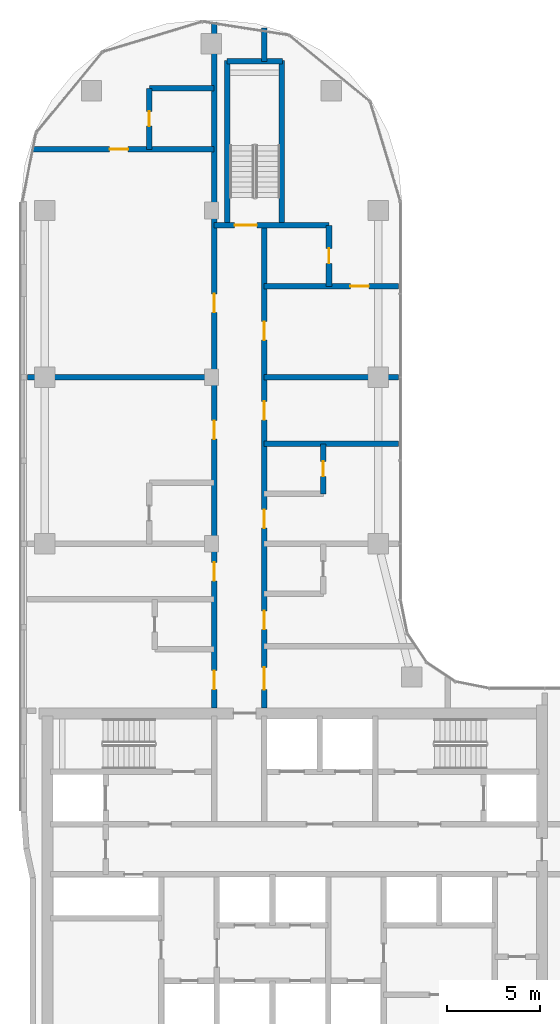
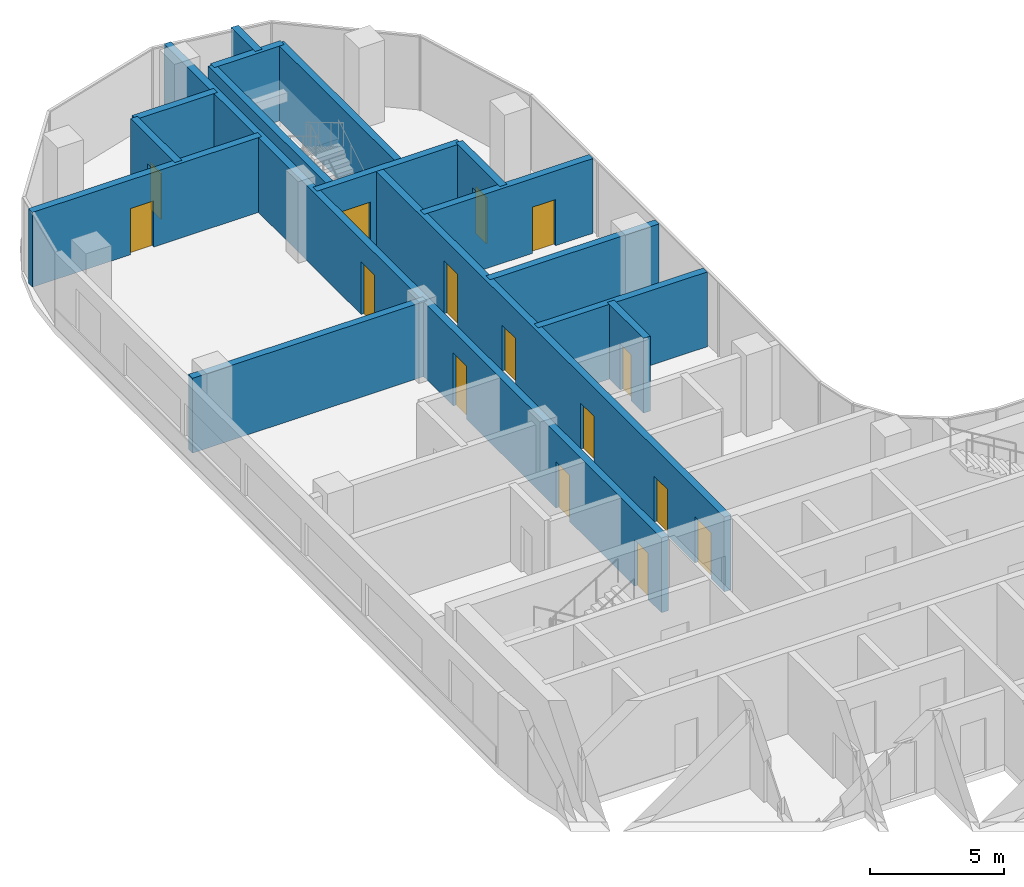
# One storey, part 13 of 23: 16 walls, 15 doors, 15 openings.
"""IFC4 building model written with IfcOpenShell, lengths in metres."""

from ifc_helpers import new_model, si_unit, direction, frame, frame_2d, origin, place, context, subcontext, project, spatial, rectangle, extrude, material, layer, layer_set, type_object, element, fill, save


model = new_model("IFC4")

# Units and contexts
model_context = context("Model", 3, precision=1e-05, world=origin(), true_north=direction((0.0, 1.0)))
body_context = subcontext(model_context, "Body", "Model", "MODEL_VIEW")
ifc_project = project(units=[si_unit("LENGTHUNIT", "METRE"), si_unit("AREAUNIT", "SQUARE_METRE"), si_unit("VOLUMEUNIT", "CUBIC_METRE"), si_unit("PLANEANGLEUNIT", "RADIAN"), si_unit("MASSUNIT", "GRAM", prefix="KILO")], contexts=[model_context])

# Site, building, storey
site_placement = place(None, origin())
site = spatial("IfcSite", under=ifc_project, at=site_placement, CompositionType="ELEMENT")
building_placement = place(site_placement, origin())
building = spatial("IfcBuilding", under=site, at=building_placement, Name="Ogive Portal Towers", CompositionType="ELEMENT")
storey_placement = place(building_placement, frame((0.0, 0.0, 168.10009765625)))
storey = spatial("IfcBuildingStorey", under=building, at=storey_placement, Name="L41", CompositionType="ELEMENT", Elevation=168.10009765625)

# Wall, opening, door
ifc_material_1 = material(Name="Concrete C50/60", Category="concrete")
ifc_layer_1 = layer(ifc_material_1, 0.300048828125)
ifc_layer_set_1 = layer_set([ifc_layer_1], Name="STAIR WALL 300 C50")
wall_type_1 = type_object("IfcWallType", Name="STAIR WALL 300 C50", PredefinedType="SHEAR", material=ifc_layer_set_1)
wall_1_placement = place(storey_placement, frame((40.64990234375, 65.699951171875, 0.0), z_axis=(0.0, 0.0, 1.0), x_axis=(1.0, 0.0, 0.0)))
wall_1 = element("IfcWall", 1, at=wall_1_placement, inside=storey, type_object=wall_type_1, Name="Stair wall ST-A3 L41", PredefinedType="SHEAR", context=body_context, shape_type="SweptSolid", body=[
    extrude(rectangle(XDim=6.2001953125, YDim=0.300048828125, at=frame_2d((3.10009765625, 0.0))), origin(), (0.0, 0.0, 1.0), 3.39990234375),
])
opening_1_placement = place(wall_1_placement, frame((1.10009765625, 0.0, 0.0)))
opening_1 = element("IfcOpeningElement", 2, at=opening_1_placement, cuts=wall_1, Name="Opening D16-052", PredefinedType="OPENING", context=body_context, shape_type="SweptSolid", body=[
    extrude(rectangle(XDim=1.199951171875, YDim=2.10009765625, at=frame_2d((0.60009765625, 1.050048828125))), frame((0.0, 0.16015625, 0.0), z_axis=(0.0, -1.0, 0.0), x_axis=(1.0, 0.0, 0.0)), (0.0, 0.0, 1.0), 0.320068359375),
])
ifc_material_2 = material(Name="Steel fire door", Category="steel")
door_type_1 = type_object("IfcDoorType", Name="DT-STAIR-1200x2100-FD90S", OperationType="SINGLE_SWING_LEFT", PredefinedType="DOOR", material=ifc_material_2)
door_1_placement = place(opening_1_placement, origin())
door_1 = element("IfcDoor", 3, at=door_1_placement, inside=storey, type_object=door_type_1, Name="Door D16-052", OperationType="SINGLE_SWING_RIGHT", OverallHeight=2.10009765625, OverallWidth=1.199951171875, PredefinedType="DOOR", context=body_context, shape_type="SweptSolid", body=[
    extrude(rectangle(XDim=1.199951171875, YDim=2.10009765625, at=frame_2d((0.60009765625, 1.050048828125))), frame((0.0, 0.02490234375, 0.0), z_axis=(0.0, -1.0, 0.0), x_axis=(1.0, 0.0, 0.0)), (0.0, 0.0, 1.0), 0.050048828125),
])
fill(opening_1, door_1)

# Walls
wall_2_placement = place(storey_placement, frame((41.35009765625, 74.550048828125, 0.0), z_axis=(0.0, 0.0, 1.0), x_axis=(1.0, 0.0, 0.0)))
element("IfcWall", 4, at=wall_2_placement, inside=storey, type_object=wall_type_1, Name="Stair wall ST-A3 L41", PredefinedType="SHEAR", context=body_context, shape_type="SweptSolid", body=[
    extrude(rectangle(XDim=3.0, YDim=0.300048828125, at=frame_2d((1.5, 0.0))), origin(), (0.0, 0.0, 1.0), 3.39990234375),
])
wall_3_placement = place(storey_placement, frame((41.35009765625, 65.75, 0.0), z_axis=(0.0, 0.0, 1.0), x_axis=(0.0, 1.0, 0.0)))
element("IfcWall", 5, at=wall_3_placement, inside=storey, type_object=wall_type_1, Name="Stair wall ST-A3 L41", PredefinedType="SHEAR", context=body_context, shape_type="SweptSolid", body=[
    extrude(rectangle(XDim=8.85009765625, YDim=0.300048828125, at=frame_2d((4.425048828125, 0.0))), origin(), (0.0, 0.0, 1.0), 3.39990234375),
])
wall_4_placement = place(storey_placement, frame((44.300048828125, 65.699951171875, 0.0), z_axis=(0.0, 0.0, 1.0), x_axis=(0.0, 1.0, 0.0)))
element("IfcWall", 6, at=wall_4_placement, inside=storey, type_object=wall_type_1, Name="Stair wall ST-A3 L41", PredefinedType="SHEAR", context=body_context, shape_type="SweptSolid", body=[
    extrude(rectangle(XDim=8.900146484375, YDim=0.300048828125, at=frame_2d((4.4501953125, 0.0))), origin(), (0.0, 0.0, 1.0), 3.39990234375),
])
ifc_material_3 = material(Name="Gypsum board partition on steel studs", Category="steel")
ifc_layer_2 = layer(ifc_material_3, 0.300048828125)
ifc_layer_set_2 = layer_set([ifc_layer_2], Name="WT-PART-300-EI 60")
wall_type_2 = type_object("IfcWallType", Name="WT-PART-300-EI 60", PredefinedType="PARTITIONING", material=ifc_layer_set_2)
wall_5_placement = place(storey_placement, frame((43.35009765625, 53.89990234375, 0.0), z_axis=(0.0, 0.0, 1.0), x_axis=(1.0, 0.0, 0.0)))
element("IfcWall", 7, at=wall_5_placement, inside=storey, type_object=wall_type_2, Name="Wall L41:w017", PredefinedType="PARTITIONING", context=body_context, shape_type="SweptSolid", body=[
    extrude(rectangle(XDim=7.264892578125, YDim=0.300048828125, at=frame_2d((3.63232421875, 0.0))), origin(), (0.0, 0.0, 1.0), 3.39990234375),
])
wall_6_placement = place(storey_placement, frame((30.56494140625, 57.5, 0.0), z_axis=(0.0, 0.0, 1.0), x_axis=(1.0, 0.0, 0.0)))
element("IfcWall", 8, at=wall_6_placement, inside=storey, type_object=wall_type_2, Name="Wall L41:w018", PredefinedType="PARTITIONING", context=body_context, shape_type="SweptSolid", body=[
    extrude(rectangle(XDim=10.0849609375, YDim=0.300048828125, at=frame_2d((5.04248046875, 0.0))), origin(), (0.0, 0.0, 1.0), 3.39990234375),
])
wall_7_placement = place(storey_placement, frame((43.35009765625, 57.5, 0.0), z_axis=(0.0, 0.0, 1.0), x_axis=(1.0, 0.0, 0.0)))
element("IfcWall", 9, at=wall_7_placement, inside=storey, type_object=wall_type_2, Name="Wall L41:w019", PredefinedType="PARTITIONING", context=body_context, shape_type="SweptSolid", body=[
    extrude(rectangle(XDim=7.264892578125, YDim=0.300048828125, at=frame_2d((3.63232421875, 0.0))), origin(), (0.0, 0.0, 1.0), 3.39990234375),
])

# Wall, opening, door
wall_8_placement = place(storey_placement, frame((43.35009765625, 62.39990234375, 0.0), z_axis=(0.0, 0.0, 1.0), x_axis=(1.0, 0.0, 0.0)))
wall_8 = element("IfcWall", 10, at=wall_8_placement, inside=storey, type_object=wall_type_2, Name="Wall L41:w020", PredefinedType="PARTITIONING", context=body_context, shape_type="SweptSolid", body=[
    extrude(rectangle(XDim=7.264892578125, YDim=0.300048828125, at=frame_2d((3.63232421875, 0.0))), origin(), (0.0, 0.0, 1.0), 3.39990234375),
])
opening_2_placement = place(wall_8_placement, frame((4.64990234375, 0.0, 0.0)))
opening_2 = element("IfcOpeningElement", 11, at=opening_2_placement, cuts=wall_8, Name="Opening D16-043", PredefinedType="OPENING", context=body_context, shape_type="SweptSolid", body=[
    extrude(rectangle(XDim=1.0, YDim=2.10009765625, at=frame_2d((0.5, 1.050048828125))), frame((0.0, 0.16015625, 0.0), z_axis=(0.0, -1.0, 0.0), x_axis=(1.0, 0.0, 0.0)), (0.0, 0.0, 1.0), 0.320068359375),
])
door_type_2 = type_object("IfcDoorType", Name="DT-ENTRY-1000x2100-FD60S", OperationType="SINGLE_SWING_LEFT", PredefinedType="DOOR", material=ifc_material_2)
door_2_placement = place(opening_2_placement, origin())
door_2 = element("IfcDoor", 12, at=door_2_placement, inside=storey, type_object=door_type_2, Name="Door D16-043", OperationType="SINGLE_SWING_RIGHT", OverallHeight=2.10009765625, OverallWidth=1.0, PredefinedType="DOOR", context=body_context, shape_type="SweptSolid", body=[
    extrude(rectangle(XDim=1.0, YDim=2.10009765625, at=frame_2d((0.5, 1.050048828125))), frame((0.0, 0.02490234375, 0.0), z_axis=(0.0, -1.0, 0.0), x_axis=(1.0, 0.0, 0.0)), (0.0, 0.0, 1.0), 0.050048828125),
])
fill(opening_2, door_2)

wall_9_placement = place(storey_placement, frame((30.7880859375, 69.800048828125, 0.0), z_axis=(0.0, 0.0, 1.0), x_axis=(1.0, 0.0, 0.0)))
wall_9 = element("IfcWall", 13, at=wall_9_placement, inside=storey, type_object=wall_type_2, Name="Wall L41:w022", PredefinedType="PARTITIONING", context=body_context, shape_type="SweptSolid", body=[
    extrude(rectangle(XDim=9.86181640625, YDim=0.300048828125, at=frame_2d((4.930908203125, 0.0))), origin(), (0.0, 0.0, 1.0), 3.39990234375),
])
opening_3_placement = place(wall_9_placement, frame((4.2119140625, 0.0, 0.0)))
opening_3 = element("IfcOpeningElement", 14, at=opening_3_placement, cuts=wall_9, Name="Opening D16-046", PredefinedType="OPENING", context=body_context, shape_type="SweptSolid", body=[
    extrude(rectangle(XDim=1.0, YDim=2.10009765625, at=frame_2d((0.5, 1.050048828125))), frame((0.0, 0.16015625, 0.0), z_axis=(0.0, -1.0, 0.0), x_axis=(1.0, 0.0, 0.0)), (0.0, 0.0, 1.0), 0.320068359375),
])
door_3_placement = place(opening_3_placement, origin())
door_3 = element("IfcDoor", 15, at=door_3_placement, inside=storey, type_object=door_type_2, Name="Door D16-046", OperationType="SINGLE_SWING_RIGHT", OverallHeight=2.10009765625, OverallWidth=1.0, PredefinedType="DOOR", context=body_context, shape_type="SweptSolid", body=[
    extrude(rectangle(XDim=1.0, YDim=2.10009765625, at=frame_2d((0.5, 1.050048828125))), frame((0.0, 0.02490234375, 0.0), z_axis=(0.0, -1.0, 0.0), x_axis=(1.0, 0.0, 0.0)), (0.0, 0.0, 1.0), 0.050048828125),
])
fill(opening_3, door_3)

# Wall
wall_10_placement = place(storey_placement, frame((37.14990234375, 73.10009765625, 0.0), z_axis=(0.0, 0.0, 1.0), x_axis=(1.0, 0.0, 0.0)))
element("IfcWall", 16, at=wall_10_placement, inside=storey, type_object=wall_type_2, Name="Wall L41:w023", PredefinedType="PARTITIONING", context=body_context, shape_type="SweptSolid", body=[
    extrude(rectangle(XDim=3.5, YDim=0.300048828125, at=frame_2d((1.75, 0.0))), origin(), (0.0, 0.0, 1.0), 3.39990234375),
])

# Wall, opening, door
wall_11_placement = place(storey_placement, frame((37.14990234375, 69.800048828125, 0.0), z_axis=(0.0, 0.0, 1.0), x_axis=(0.0, 1.0, 0.0)))
wall_11 = element("IfcWall", 17, at=wall_11_placement, inside=storey, type_object=wall_type_2, Name="Wall L41:w026", PredefinedType="PARTITIONING", context=body_context, shape_type="SweptSolid", body=[
    extrude(rectangle(XDim=3.300048828125, YDim=0.300048828125, at=frame_2d((1.64990234375, 0.0))), origin(), (0.0, 0.0, 1.0), 3.39990234375),
])
opening_4_placement = place(wall_11_placement, frame((1.25, 0.0, 0.0)))
opening_4 = element("IfcOpeningElement", 18, at=opening_4_placement, cuts=wall_11, Name="Opening D16-047", PredefinedType="OPENING", context=body_context, shape_type="SweptSolid", body=[
    extrude(rectangle(XDim=0.800048828125, YDim=2.10009765625, at=frame_2d((0.39990234375, 1.050048828125))), frame((0.0, 0.16015625, 0.0), z_axis=(0.0, -1.0, 0.0), x_axis=(1.0, 0.0, 0.0)), (0.0, 0.0, 1.0), 0.320068359375),
])
door_type_3 = type_object("IfcDoorType", Name="DT-BATH-800x2100-FD60S", OperationType="SINGLE_SWING_LEFT", PredefinedType="DOOR", material=ifc_material_2)
door_4_placement = place(opening_4_placement, origin())
door_4 = element("IfcDoor", 19, at=door_4_placement, inside=storey, type_object=door_type_3, Name="Door D16-047", OperationType="SINGLE_SWING_LEFT", OverallHeight=2.10009765625, OverallWidth=0.800048828125, PredefinedType="DOOR", context=body_context, shape_type="SweptSolid", body=[
    extrude(rectangle(XDim=0.800048828125, YDim=2.10009765625, at=frame_2d((0.39990234375, 1.050048828125))), frame((0.0, 0.02490234375, 0.0), z_axis=(0.0, -1.0, 0.0), x_axis=(1.0, 0.0, 0.0)), (0.0, 0.0, 1.0), 0.050048828125),
])
fill(opening_4, door_4)

# Wall, openings, doors
wall_12_placement = place(storey_placement, frame((40.64990234375, 39.64990234375, 0.0), z_axis=(0.0, 0.0, 1.0), x_axis=(0.0, 1.0, 0.0)))
wall_12 = element("IfcWall", 20, at=wall_12_placement, inside=storey, type_object=wall_type_2, Name="Wall L41:w028", PredefinedType="PARTITIONING", context=body_context, shape_type="SweptSolid", body=[
    extrude(rectangle(XDim=37.025146484375, YDim=0.300048828125, at=frame_2d((18.5126953125, 0.0))), origin(), (0.0, 0.0, 1.0), 3.39990234375),
])
opening_5_placement = place(wall_12_placement, frame((1.0, 0.0, 0.0)))
opening_5 = element("IfcOpeningElement", 21, at=opening_5_placement, cuts=wall_12, Name="Opening D16-035", PredefinedType="OPENING", context=body_context, shape_type="SweptSolid", body=[
    extrude(rectangle(XDim=1.0, YDim=2.10009765625, at=frame_2d((0.5, 1.050048828125))), frame((0.0, 0.16015625, 0.0), z_axis=(0.0, -1.0, 0.0), x_axis=(1.0, 0.0, 0.0)), (0.0, 0.0, 1.0), 0.320068359375),
])
opening_6_placement = place(wall_12_placement, frame((6.85009765625, 0.0, 0.0)))
opening_6 = element("IfcOpeningElement", 22, at=opening_6_placement, cuts=wall_12, Name="Opening D16-036", PredefinedType="OPENING", context=body_context, shape_type="SweptSolid", body=[
    extrude(rectangle(XDim=1.0, YDim=2.10009765625, at=frame_2d((0.5, 1.050048828125))), frame((0.0, 0.16015625, 0.0), z_axis=(0.0, -1.0, 0.0), x_axis=(1.0, 0.0, 0.0)), (0.0, 0.0, 1.0), 0.320068359375),
])
opening_7_placement = place(wall_12_placement, frame((14.5, 0.0, 0.0)))
opening_7 = element("IfcOpeningElement", 23, at=opening_7_placement, cuts=wall_12, Name="Opening D16-041", PredefinedType="OPENING", context=body_context, shape_type="SweptSolid", body=[
    extrude(rectangle(XDim=1.0, YDim=2.39990234375, at=frame_2d((0.5, 1.199951171875))), frame((0.0, 0.16015625, 0.0), z_axis=(0.0, -1.0, 0.0), x_axis=(1.0, 0.0, 0.0)), (0.0, 0.0, 1.0), 0.320068359375),
])
opening_8_placement = place(wall_12_placement, frame((21.35009765625, 0.0, 0.0)))
opening_8 = element("IfcOpeningElement", 24, at=opening_8_placement, cuts=wall_12, Name="Opening D16-045", PredefinedType="OPENING", context=body_context, shape_type="SweptSolid", body=[
    extrude(rectangle(XDim=1.0, YDim=2.39990234375, at=frame_2d((0.5, 1.199951171875))), frame((0.0, 0.16015625, 0.0), z_axis=(0.0, -1.0, 0.0), x_axis=(1.0, 0.0, 0.0)), (0.0, 0.0, 1.0), 0.320068359375),
])
door_5_placement = place(opening_5_placement, origin())
door_5 = element("IfcDoor", 25, at=door_5_placement, inside=storey, type_object=door_type_2, Name="Door D16-035", OperationType="SINGLE_SWING_RIGHT", OverallHeight=2.10009765625, OverallWidth=1.0, PredefinedType="DOOR", context=body_context, shape_type="SweptSolid", body=[
    extrude(rectangle(XDim=1.0, YDim=2.10009765625, at=frame_2d((0.5, 1.050048828125))), frame((0.0, 0.02490234375, 0.0), z_axis=(0.0, -1.0, 0.0), x_axis=(1.0, 0.0, 0.0)), (0.0, 0.0, 1.0), 0.050048828125),
])
fill(opening_5, door_5)
door_6_placement = place(opening_6_placement, origin())
door_6 = element("IfcDoor", 26, at=door_6_placement, inside=storey, type_object=door_type_2, Name="Door D16-036", OperationType="SINGLE_SWING_LEFT", OverallHeight=2.10009765625, OverallWidth=1.0, PredefinedType="DOOR", context=body_context, shape_type="SweptSolid", body=[
    extrude(rectangle(XDim=1.0, YDim=2.10009765625, at=frame_2d((0.5, 1.050048828125))), frame((0.0, 0.02490234375, 0.0), z_axis=(0.0, -1.0, 0.0), x_axis=(1.0, 0.0, 0.0)), (0.0, 0.0, 1.0), 0.050048828125),
])
fill(opening_6, door_6)
door_type_4 = type_object("IfcDoorType", Name="DT-ENTRY-1000x2400-FD60S", OperationType="SINGLE_SWING_LEFT", PredefinedType="DOOR", material=ifc_material_2)
door_7_placement = place(opening_7_placement, origin())
door_7 = element("IfcDoor", 27, at=door_7_placement, inside=storey, type_object=door_type_4, Name="Door D16-041", OperationType="SINGLE_SWING_RIGHT", OverallHeight=2.39990234375, OverallWidth=1.0, PredefinedType="DOOR", context=body_context, shape_type="SweptSolid", body=[
    extrude(rectangle(XDim=1.0, YDim=2.39990234375, at=frame_2d((0.5, 1.199951171875))), frame((0.0, 0.02490234375, 0.0), z_axis=(0.0, -1.0, 0.0), x_axis=(1.0, 0.0, 0.0)), (0.0, 0.0, 1.0), 0.050048828125),
])
fill(opening_7, door_7)
door_8_placement = place(opening_8_placement, origin())
door_8 = element("IfcDoor", 28, at=door_8_placement, inside=storey, type_object=door_type_4, Name="Door D16-045", OperationType="SINGLE_SWING_LEFT", OverallHeight=2.39990234375, OverallWidth=1.0, PredefinedType="DOOR", context=body_context, shape_type="SweptSolid", body=[
    extrude(rectangle(XDim=1.0, YDim=2.39990234375, at=frame_2d((0.5, 1.199951171875))), frame((0.0, 0.02490234375, 0.0), z_axis=(0.0, -1.0, 0.0), x_axis=(1.0, 0.0, 0.0)), (0.0, 0.0, 1.0), 0.050048828125),
])
fill(opening_8, door_8)

# Wall, opening, door
wall_13_placement = place(storey_placement, frame((46.550048828125, 51.199951171875, 0.0), z_axis=(0.0, 0.0, 1.0), x_axis=(0.0, 1.0, 0.0)))
wall_13 = element("IfcWall", 29, at=wall_13_placement, inside=storey, type_object=wall_type_2, Name="Wall L41:w034", PredefinedType="PARTITIONING", context=body_context, shape_type="SweptSolid", body=[
    extrude(rectangle(XDim=2.699951171875, YDim=0.300048828125, at=frame_2d((1.35009765625, 0.0))), origin(), (0.0, 0.0, 1.0), 3.39990234375),
])
opening_9_placement = place(wall_13_placement, frame((0.949951171875, 0.0, 0.0)))
opening_9 = element("IfcOpeningElement", 30, at=opening_9_placement, cuts=wall_13, Name="Opening D16-037", PredefinedType="OPENING", context=body_context, shape_type="SweptSolid", body=[
    extrude(rectangle(XDim=0.800048828125, YDim=2.10009765625, at=frame_2d((0.39990234375, 1.050048828125))), frame((0.0, 0.16015625, 0.0), z_axis=(0.0, -1.0, 0.0), x_axis=(1.0, 0.0, 0.0)), (0.0, 0.0, 1.0), 0.320068359375),
])
door_9_placement = place(opening_9_placement, origin())
door_9 = element("IfcDoor", 31, at=door_9_placement, inside=storey, type_object=door_type_3, Name="Door D16-037", OperationType="SINGLE_SWING_LEFT", OverallHeight=2.10009765625, OverallWidth=0.800048828125, PredefinedType="DOOR", context=body_context, shape_type="SweptSolid", body=[
    extrude(rectangle(XDim=0.800048828125, YDim=2.10009765625, at=frame_2d((0.39990234375, 1.050048828125))), frame((0.0, 0.02490234375, 0.0), z_axis=(0.0, -1.0, 0.0), x_axis=(1.0, 0.0, 0.0)), (0.0, 0.0, 1.0), 0.050048828125),
])
fill(opening_9, door_9)

wall_14_placement = place(storey_placement, frame((46.85009765625, 62.39990234375, 0.0), z_axis=(0.0, 0.0, 1.0), x_axis=(0.0, 1.0, 0.0)))
wall_14 = element("IfcWall", 32, at=wall_14_placement, inside=storey, type_object=wall_type_2, Name="Wall L41:w035", PredefinedType="PARTITIONING", context=body_context, shape_type="SweptSolid", body=[
    extrude(rectangle(XDim=3.300048828125, YDim=0.300048828125, at=frame_2d((1.64990234375, 0.0))), origin(), (0.0, 0.0, 1.0), 3.39990234375),
])
opening_10_placement = place(wall_14_placement, frame((1.25, 0.0, 0.0)))
opening_10 = element("IfcOpeningElement", 33, at=opening_10_placement, cuts=wall_14, Name="Opening D16-044", PredefinedType="OPENING", context=body_context, shape_type="SweptSolid", body=[
    extrude(rectangle(XDim=0.800048828125, YDim=2.10009765625, at=frame_2d((0.39990234375, 1.050048828125))), frame((0.0, 0.16015625, 0.0), z_axis=(0.0, -1.0, 0.0), x_axis=(1.0, 0.0, 0.0)), (0.0, 0.0, 1.0), 0.320068359375),
])
door_10_placement = place(opening_10_placement, origin())
door_10 = element("IfcDoor", 34, at=door_10_placement, inside=storey, type_object=door_type_3, Name="Door D16-044", OperationType="SINGLE_SWING_LEFT", OverallHeight=2.10009765625, OverallWidth=0.800048828125, PredefinedType="DOOR", context=body_context, shape_type="SweptSolid", body=[
    extrude(rectangle(XDim=0.800048828125, YDim=2.10009765625, at=frame_2d((0.39990234375, 1.050048828125))), frame((0.0, 0.02490234375, 0.0), z_axis=(0.0, -1.0, 0.0), x_axis=(1.0, 0.0, 0.0)), (0.0, 0.0, 1.0), 0.050048828125),
])
fill(opening_10, door_10)

# Wall, openings, doors
ifc_material_4 = material(Name="Concrete C40/50", Category="concrete")
ifc_layer_3 = layer(ifc_material_4, 0.300048828125)
ifc_layer_set_3 = layer_set([ifc_layer_3], Name="WT-SHAFT-300")
wall_type_3 = type_object("IfcWallType", Name="WT-SHAFT-300", PredefinedType="SOLIDWALL", material=ifc_layer_set_3)
wall_15_placement = place(storey_placement, frame((43.35009765625, 39.64990234375, 0.0), z_axis=(0.0, 0.0, 1.0), x_axis=(0.0, 1.0, 0.0)))
wall_15 = element("IfcWall", 35, at=wall_15_placement, inside=storey, type_object=wall_type_3, Name="Wall L41:w030", PredefinedType="SOLIDWALL", context=body_context, shape_type="SweptSolid", body=[
    extrude(rectangle(XDim=26.10009765625, YDim=0.300048828125, at=frame_2d((13.050048828125, 0.0))), origin(), (0.0, 0.0, 1.0), 3.39990234375),
])
opening_11_placement = place(wall_15_placement, frame((0.985107421875, 0.0, 0.0)))
opening_11 = element("IfcOpeningElement", 36, at=opening_11_placement, cuts=wall_15, Name="Opening D16-031", PredefinedType="OPENING", context=body_context, shape_type="SweptSolid", body=[
    extrude(rectangle(XDim=1.199951171875, YDim=2.10009765625, at=frame_2d((0.60009765625, 1.050048828125))), frame((0.0, 0.16015625, 0.0), z_axis=(0.0, -1.0, 0.0), x_axis=(1.0, 0.0, 0.0)), (0.0, 0.0, 1.0), 0.320068359375),
])
opening_12_placement = place(wall_15_placement, frame((4.235107421875, 0.0, 0.0)))
opening_12 = element("IfcOpeningElement", 37, at=opening_12_placement, cuts=wall_15, Name="Opening D16-033", PredefinedType="OPENING", context=body_context, shape_type="SweptSolid", body=[
    extrude(rectangle(XDim=1.0, YDim=2.10009765625, at=frame_2d((0.5, 1.050048828125))), frame((0.0, 0.16015625, 0.0), z_axis=(0.0, -1.0, 0.0), x_axis=(1.0, 0.0, 0.0)), (0.0, 0.0, 1.0), 0.320068359375),
])
opening_13_placement = place(wall_15_placement, frame((9.699951171875, 0.0, 0.0)))
opening_13 = element("IfcOpeningElement", 38, at=opening_13_placement, cuts=wall_15, Name="Opening D16-038", PredefinedType="OPENING", context=body_context, shape_type="SweptSolid", body=[
    extrude(rectangle(XDim=1.0, YDim=2.10009765625, at=frame_2d((0.5, 1.050048828125))), frame((0.0, 0.16015625, 0.0), z_axis=(0.0, -1.0, 0.0), x_axis=(1.0, 0.0, 0.0)), (0.0, 0.0, 1.0), 0.320068359375),
])
opening_14_placement = place(wall_15_placement, frame((15.550048828125, 0.0, 0.0)))
opening_14 = element("IfcOpeningElement", 39, at=opening_14_placement, cuts=wall_15, Name="Opening D16-039", PredefinedType="OPENING", context=body_context, shape_type="SweptSolid", body=[
    extrude(rectangle(XDim=1.0, YDim=2.10009765625, at=frame_2d((0.5, 1.050048828125))), frame((0.0, 0.16015625, 0.0), z_axis=(0.0, -1.0, 0.0), x_axis=(1.0, 0.0, 0.0)), (0.0, 0.0, 1.0), 0.320068359375),
])
opening_15_placement = place(wall_15_placement, frame((19.85009765625, 0.0, 0.0)))
opening_15 = element("IfcOpeningElement", 40, at=opening_15_placement, cuts=wall_15, Name="Opening D16-042", PredefinedType="OPENING", context=body_context, shape_type="SweptSolid", body=[
    extrude(rectangle(XDim=1.0, YDim=2.39990234375, at=frame_2d((0.5, 1.199951171875))), frame((0.0, 0.16015625, 0.0), z_axis=(0.0, -1.0, 0.0), x_axis=(1.0, 0.0, 0.0)), (0.0, 0.0, 1.0), 0.320068359375),
])
door_type_5 = type_object("IfcDoorType", Name="DT-ENTRY-1000x2100-FD90S", OperationType="SINGLE_SWING_LEFT", PredefinedType="DOOR", material=ifc_material_2)
door_11_placement = place(opening_12_placement, origin())
door_11 = element("IfcDoor", 41, at=door_11_placement, inside=storey, type_object=door_type_5, Name="Door D16-033", OperationType="SINGLE_SWING_LEFT", OverallHeight=2.10009765625, OverallWidth=1.0, PredefinedType="DOOR", context=body_context, shape_type="SweptSolid", body=[
    extrude(rectangle(XDim=1.0, YDim=2.10009765625, at=frame_2d((0.5, 1.050048828125))), frame((0.0, 0.02490234375, 0.0), z_axis=(0.0, -1.0, 0.0), x_axis=(1.0, 0.0, 0.0)), (0.0, 0.0, 1.0), 0.050048828125),
])
fill(opening_12, door_11)
door_12_placement = place(opening_13_placement, origin())
door_12 = element("IfcDoor", 42, at=door_12_placement, inside=storey, type_object=door_type_5, Name="Door D16-038", OperationType="SINGLE_SWING_RIGHT", OverallHeight=2.10009765625, OverallWidth=1.0, PredefinedType="DOOR", context=body_context, shape_type="SweptSolid", body=[
    extrude(rectangle(XDim=1.0, YDim=2.10009765625, at=frame_2d((0.5, 1.050048828125))), frame((0.0, 0.02490234375, 0.0), z_axis=(0.0, -1.0, 0.0), x_axis=(1.0, 0.0, 0.0)), (0.0, 0.0, 1.0), 0.050048828125),
])
fill(opening_13, door_12)
door_13_placement = place(opening_14_placement, origin())
door_13 = element("IfcDoor", 43, at=door_13_placement, inside=storey, type_object=door_type_5, Name="Door D16-039", OperationType="SINGLE_SWING_LEFT", OverallHeight=2.10009765625, OverallWidth=1.0, PredefinedType="DOOR", context=body_context, shape_type="SweptSolid", body=[
    extrude(rectangle(XDim=1.0, YDim=2.10009765625, at=frame_2d((0.5, 1.050048828125))), frame((0.0, 0.02490234375, 0.0), z_axis=(0.0, -1.0, 0.0), x_axis=(1.0, 0.0, 0.0)), (0.0, 0.0, 1.0), 0.050048828125),
])
fill(opening_14, door_13)
door_type_6 = type_object("IfcDoorType", Name="DT-ENTRY-1000x2400-FD90S", OperationType="SINGLE_SWING_LEFT", PredefinedType="DOOR", material=ifc_material_2)
door_14_placement = place(opening_15_placement, origin())
door_14 = element("IfcDoor", 44, at=door_14_placement, inside=storey, type_object=door_type_6, Name="Door D16-042", OperationType="SINGLE_SWING_LEFT", OverallHeight=2.39990234375, OverallWidth=1.0, PredefinedType="DOOR", context=body_context, shape_type="SweptSolid", body=[
    extrude(rectangle(XDim=1.0, YDim=2.39990234375, at=frame_2d((0.5, 1.199951171875))), frame((0.0, 0.02490234375, 0.0), z_axis=(0.0, -1.0, 0.0), x_axis=(1.0, 0.0, 0.0)), (0.0, 0.0, 1.0), 0.050048828125),
])
fill(opening_15, door_14)
door_type_7 = type_object("IfcDoorType", Name="DT-ENTRY-1200x2100-FD90S", OperationType="SINGLE_SWING_LEFT", PredefinedType="DOOR", material=ifc_material_2)
door_15_placement = place(opening_11_placement, origin())
door_15 = element("IfcDoor", 45, at=door_15_placement, inside=storey, type_object=door_type_7, Name="Door D16-031", OperationType="SINGLE_SWING_RIGHT", OverallHeight=2.10009765625, OverallWidth=1.199951171875, PredefinedType="DOOR", context=body_context, shape_type="SweptSolid", body=[
    extrude(rectangle(XDim=1.199951171875, YDim=2.10009765625, at=frame_2d((0.60009765625, 1.050048828125))), frame((0.0, 0.02490234375, 0.0), z_axis=(0.0, -1.0, 0.0), x_axis=(1.0, 0.0, 0.0)), (0.0, 0.0, 1.0), 0.050048828125),
])
fill(opening_11, door_15)

# Wall
wall_16_placement = place(storey_placement, frame((43.35009765625, 74.550048828125, 0.0), z_axis=(0.0, 0.0, 1.0), x_axis=(0.0, 1.0, 0.0)))
element("IfcWall", 46, at=wall_16_placement, inside=storey, type_object=wall_type_3, Name="Wall L41:w031", PredefinedType="SOLIDWALL", context=body_context, shape_type="SweptSolid", body=[
    extrude(rectangle(XDim=1.799072265625, YDim=0.300048828125, at=frame_2d((0.8994140625, 0.0))), origin(), (0.0, 0.0, 1.0), 3.39990234375),
])

save(model, "model.ifc")
